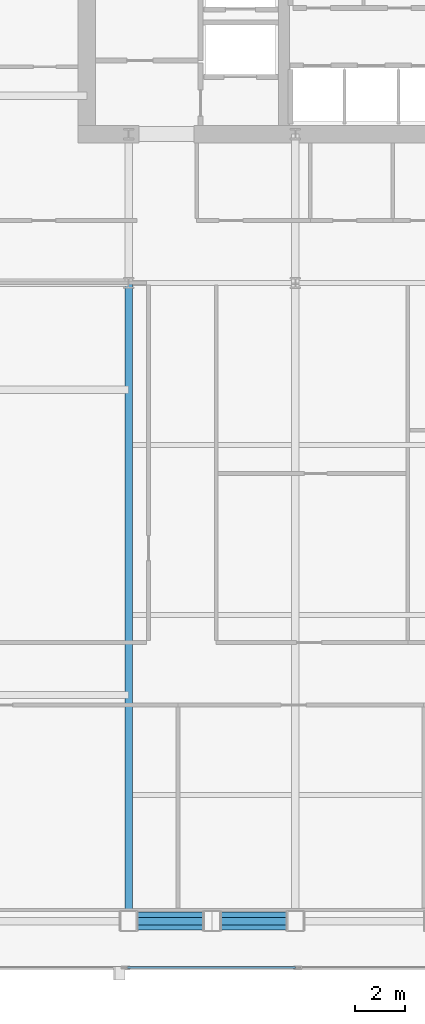
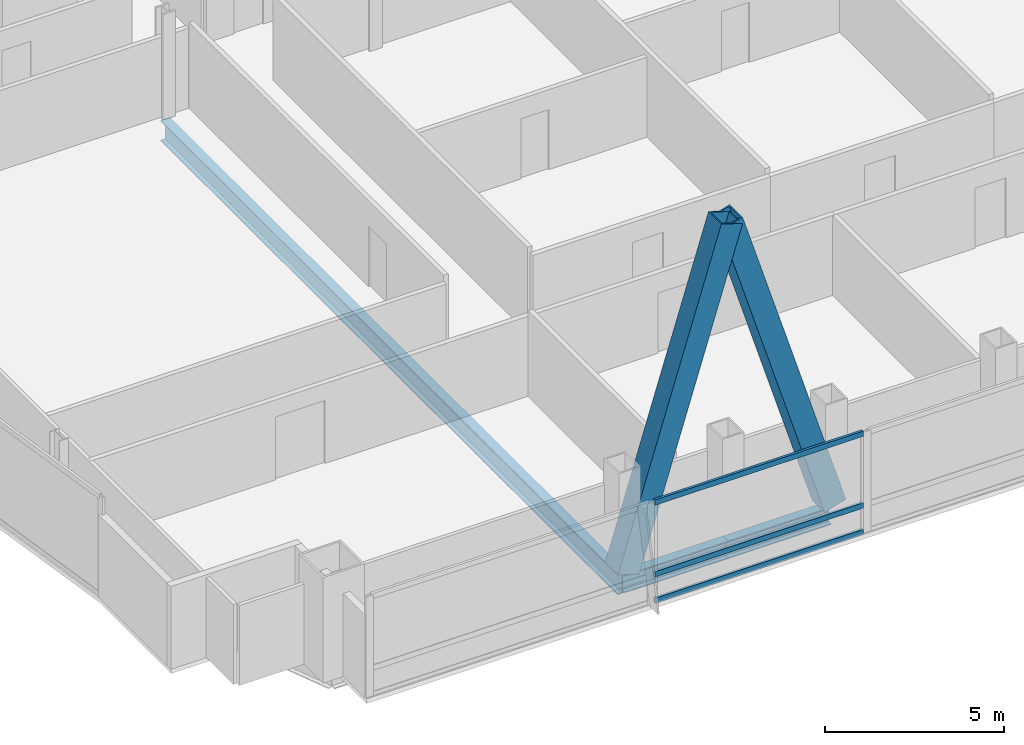
# One storey, part 7 of 30: 5 members, 3 beams, 1 element without a shape of its own.
"""IFC4 building model written with IfcOpenShell, lengths in metres."""

import ifcopenshell
import ifcopenshell.guid

model = None  # the IFC model being written
_history = None  # IfcOwnerHistory: only IFC2X3 demands one
_inside = {}  # id of a spatial element -> (the spatial element, [elements in it])
_under = {}  # id of a project, library or spatial element -> (it, [spatial elements below it])
_declared = {}  # id of a project -> (the project, [libraries it declares])
_typed = {}  # id of a type object -> (the type object, [elements of that type])
_made_of = {}  # id of a material, layer set ... -> (it, [elements and type objects made of it])


def new_model(schema):
    """Start an empty IFC model of exactly this schema.

    Asked for "IFC4X3", IfcOpenShell would pick the latest addendum, in which some entities
    have other attributes; the version numbers below select the first issue.
    IFC2X3 requires an IfcOwnerHistory on every rooted entity: one is made here for all.
    """
    global model, _history
    if schema == "IFC4X3":
        model = ifcopenshell.file(schema_version=(4, 3, 0, 0))
    else:
        model = ifcopenshell.file(schema=schema)
    _inside.clear()
    _under.clear()
    _declared.clear()
    _typed.clear()
    _made_of.clear()
    _history = None
    if model.schema == "IFC2X3":
        org = make("IfcOrganization", Name="unknown")
        user = make(
            "IfcPersonAndOrganization",
            ThePerson=make("IfcPerson", FamilyName="unknown"),
            TheOrganization=org,
        )
        app = make(
            "IfcApplication",
            ApplicationDeveloper=org,
            Version="unknown",
            ApplicationFullName="unknown",
            ApplicationIdentifier="unknown",
        )
        _history = make(
            "IfcOwnerHistory",
            OwningUser=user,
            OwningApplication=app,
            ChangeAction="ADDED",
            CreationDate=0,
        )
    return model


def make(cls, **values):
    """One entity of the class cls with the attributes given. An attribute that is None is left unset."""
    return model.create_entity(
        cls, **{name: value for name, value in values.items() if value is not None}
    )


def rooted(cls, **values):
    """An entity with a GlobalId (a new one), such as an element, a storey or a relation."""
    return make(cls, GlobalId=ifcopenshell.guid.new(), OwnerHistory=_history, **values)


def si_unit(unit_type, name, prefix=None):
    """IfcSIUnit, for example si_unit("LENGTHUNIT", "METRE", prefix="MILLI")."""
    return make("IfcSIUnit", UnitType=unit_type, Prefix=prefix, Name=name)


def assignment(units):
    """IfcUnitAssignment: the units of a project."""
    return None if units is None else make("IfcUnitAssignment", Units=units)


def point(xyz):
    """IfcCartesianPoint."""
    return None if xyz is None else make("IfcCartesianPoint", Coordinates=xyz)


def direction(xyz):
    """IfcDirection."""
    return None if xyz is None else make("IfcDirection", DirectionRatios=xyz)


def frame(location, z_axis=None, x_axis=None):
    """IfcAxis2Placement3D, a coordinate frame: its origin and axes. An axis left out is left unset."""
    return make(
        "IfcAxis2Placement3D",
        Location=point(location),
        Axis=direction(z_axis),
        RefDirection=direction(x_axis),
    )


def frame_2d(location, x_axis=None):
    """IfcAxis2Placement2D, a coordinate frame in the plane: its origin and x axis."""
    return make(
        "IfcAxis2Placement2D", Location=point(location), RefDirection=direction(x_axis)
    )


def origin():
    """The frame at (0, 0, 0) with its axes left unset."""
    return frame((0.0, 0.0, 0.0))


def origin_2d():
    """The frame at (0, 0) in the plane with its x axis left unset."""
    return frame_2d((0.0, 0.0))


def place(relative_to, where):
    """IfcLocalPlacement: puts the frame where relative to a parent placement (None: the world)."""
    return make(
        "IfcLocalPlacement", PlacementRelTo=relative_to, RelativePlacement=where
    )


def context(
    kind, dimensions, precision=None, world=None, true_north=None, identifier=None
):
    """IfcGeometricRepresentationContext, for example the 3D "Model" context."""
    return make(
        "IfcGeometricRepresentationContext",
        ContextIdentifier=identifier,
        ContextType=kind,
        CoordinateSpaceDimension=dimensions,
        Precision=precision,
        WorldCoordinateSystem=world,
        TrueNorth=true_north,
    )


def subcontext(parent, identifier, kind, view, scale=None):
    """IfcGeometricRepresentationSubContext, for example "Body" below "Model"."""
    return make(
        "IfcGeometricRepresentationSubContext",
        ContextIdentifier=identifier,
        ContextType=kind,
        ParentContext=parent,
        TargetScale=scale,
        TargetView=view,
    )


def project(units=None, contexts=None):
    """IfcProject with its units and contexts."""
    return rooted(
        "IfcProject",
        Name="project",
        RepresentationContexts=contexts,
        UnitsInContext=assignment(units),
    )


def spatial(cls, under=None, at=None, **own):
    """A site, building, storey or space (cls), placed at a placement, below another one or the project."""
    s = rooted(cls, ObjectPlacement=at, **own)
    if under is not None:
        _under.setdefault(under.id(), (under, []))[1].append(s)
    return s


def profile(cls, at=None, kind="AREA", **sizes):
    """A parametric profile (cls). Its sizes go by their IFC names, for example OverallWidth=200.0."""
    return make(cls, ProfileType=kind, Position=at, **sizes)


def hollow_rectangle(**sizes):
    """IfcRectangleHollowProfileDef."""
    return profile("IfcRectangleHollowProfileDef", **sizes)


def i_section(**sizes):
    """IfcIShapeProfileDef."""
    return profile("IfcIShapeProfileDef", **sizes)


def extrude(swept, where, along, depth):
    """IfcExtrudedAreaSolid: the profile swept, set in the frame where, extruded along a direction by depth."""
    return make(
        "IfcExtrudedAreaSolid",
        SweptArea=swept,
        Position=where,
        ExtrudedDirection=direction(along),
        Depth=depth,
    )


def shape(context_of_items, identifier, shape_type, items):
    """IfcShapeRepresentation: the items that make up one representation, for example the "Body"."""
    return make(
        "IfcShapeRepresentation",
        ContextOfItems=context_of_items,
        RepresentationIdentifier=identifier,
        RepresentationType=shape_type,
        Items=items,
    )


def material(Name=None, Category=None):
    """IfcMaterial."""
    return make("IfcMaterial", Name=Name, Category=Category)


def material_profile(
    of_material, cross_section, Name=None, Category=None, Priority=None
):
    """IfcMaterialProfile: a cross section and its material."""
    return make(
        "IfcMaterialProfile",
        Name=Name,
        Material=of_material,
        Profile=cross_section,
        Priority=Priority,
        Category=Category,
    )


def profile_set(profiles, Name=None, composite=None):
    """IfcMaterialProfileSet."""
    return make(
        "IfcMaterialProfileSet",
        Name=Name,
        MaterialProfiles=profiles,
        CompositeProfile=composite,
    )


def made_of(thing, what):
    """Note that an element or type object is made of a material, layer set ...; save() writes the relation."""
    if what is not None:
        _made_of.setdefault(what.id(), (what, []))[1].append(thing)
    return thing


def type_object(cls, material=None, **own):
    """A type object (cls), such as IfcWallType, which elements share."""
    return made_of(rooted(cls, **own), material)


def element(
    cls,
    number,
    at=None,
    inside=None,
    cuts=None,
    type_object=None,
    material=None,
    context=None,
    identifier="Body",
    shape_type=None,
    held_by="IfcProductDefinitionShape",
    body=None,
    shapes=None,
    **own,
):
    """One element of the class cls, such as IfcWall. Its Tag is "e" and its number.

    at: its placement. inside: the storey or other place that contains it. cuts: it is an
    opening in that element (IfcRelVoidsElement). A single representation is given by context,
    identifier, shape_type and body (its items); several are given by shapes. held_by: the class
    of the entity that holds the representations. save() writes the other relations.
    """
    e = rooted(cls, Tag="e%d" % number, ObjectPlacement=at, **own)
    if body is not None:
        shapes = [shape(context, identifier, shape_type, body)]
    if shapes is not None:
        e.Representation = make(held_by, Representations=shapes)
    if inside is not None:
        _inside.setdefault(inside.id(), (inside, []))[1].append(e)
    if cuts is not None:
        rooted(
            "IfcRelVoidsElement", RelatingBuildingElement=cuts, RelatedOpeningElement=e
        )
    if type_object is not None:
        _typed.setdefault(type_object.id(), (type_object, []))[1].append(e)
    return made_of(e, material)


def aggregate(whole, parts):
    """IfcRelAggregates: a whole, such as a stair, and the parts it consists of."""
    return rooted("IfcRelAggregates", RelatingObject=whole, RelatedObjects=parts)


def save(model, path):
    """Write the relations noted so far, then the file.

    IfcRelAggregates (storeys below a building ...), IfcRelContainedInSpatialStructure (elements
    in a storey), IfcRelDefinesByType, IfcRelAssociatesMaterial and IfcRelDeclares: one each for
    every whole, place, type object, material and project.
    """
    for whole, parts in _under.values():
        aggregate(whole, parts)
    for where, things in _inside.values():
        rooted(
            "IfcRelContainedInSpatialStructure",
            RelatedElements=things,
            RelatingStructure=where,
        )
    for kind, things in _typed.values():
        rooted("IfcRelDefinesByType", RelatedObjects=things, RelatingType=kind)
    for what, things in _made_of.values():
        rooted("IfcRelAssociatesMaterial", RelatedObjects=things, RelatingMaterial=what)
    for by, libraries in _declared.values():
        rooted("IfcRelDeclares", RelatingContext=by, RelatedDefinitions=libraries)
    model.write(path)


model = new_model("IFC4")

# Units and contexts
model_context = context("Model", 3, precision=1e-05, world=origin(), true_north=direction((0.0, 1.0)))
body_context = subcontext(model_context, "Body", "Model", "MODEL_VIEW")
ifc_project = project(units=[si_unit("LENGTHUNIT", "METRE"), si_unit("AREAUNIT", "SQUARE_METRE"), si_unit("VOLUMEUNIT", "CUBIC_METRE"), si_unit("PLANEANGLEUNIT", "RADIAN"), si_unit("MASSUNIT", "GRAM", prefix="KILO")], contexts=[model_context])

# Site, building, storey
site_placement = place(None, origin())
site = spatial("IfcSite", under=ifc_project, at=site_placement, CompositionType="ELEMENT")
building_placement = place(site_placement, origin())
building = spatial("IfcBuilding", under=site, at=building_placement, Name="Khoronbel Lancet Exchange", CompositionType="ELEMENT")
storey_placement = place(building_placement, frame((0.0, 0.0, 147.0)))
storey = spatial("IfcBuildingStorey", under=building, at=storey_placement, Name="L36", CompositionType="ELEMENT", Elevation=147.0)

# Beams
ifc_material_1 = material(Name="Steel S355", Category="steel")
ifc_material_profile_1 = material_profile(ifc_material_1, i_section(OverallWidth=0.300048828125, OverallDepth=0.699951171875, WebThickness=0.01708984375, FlangeThickness=0.031982421875, at=origin_2d()), Name="HEB 700")
ifc_profile_set_1 = profile_set([ifc_material_profile_1], Name="Steel S355")
beam_type_1 = type_object("IfcBeamType", Name="BM-BG3", PredefinedType="BEAM", material=ifc_profile_set_1)
beam_placement = place(storey_placement, frame((18.22509765625, 10.14990234375, -0.510009765625), z_axis=(0.0, 1.0, 0.0), x_axis=(-1.0, 0.0, 0.0)))
element("IfcBeam", 1, at=beam_placement, inside=storey, type_object=beam_type_1, Name="Level L36 south primary girder GS1", PredefinedType="BEAM", context=body_context, shape_type="SweptSolid", body=[
    extrude(i_section(OverallWidth=0.300048828125, OverallDepth=0.699951171875, WebThickness=0.01708984375, FlangeThickness=0.031982421875, at=origin_2d()), origin(), (0.0, 0.0, 1.0), 25.550048828125),
])
ifc_material_profile_2 = material_profile(ifc_material_1, i_section(OverallWidth=0.300048828125, OverallDepth=0.60009765625, WebThickness=0.015380859375, FlangeThickness=0.030029296875, at=origin_2d()), Name="HEB 600")
ifc_profile_set_2 = profile_set([ifc_material_profile_2], Name="Steel S355")
beam_type_2 = type_object("IfcBeamType", Name="BM-BSP2", PredefinedType="SPANDREL", material=ifc_profile_set_2)
for number, where, z_axis, x_axis, name in (
    (2, (18.22509765625, 10.14990234375, -0.4599609375), (1.0, 0.0, 0.0), (0.0, 1.0, 0.0), "Level L36 perimeter spandrel beam SP02"),
    (3, (21.5625, 10.14990234375, -0.4599609375), (1.0, 0.0, 0.0), (0.0, 1.0, 0.0), "Level L36 perimeter spandrel beam SP03"),
):
    element("IfcBeam", number, at=place(storey_placement, frame(where, z_axis=z_axis, x_axis=x_axis)), inside=storey, type_object=beam_type_2, Name=name, PredefinedType="SPANDREL", context=body_context, shape_type="SweptSolid", body=[
        extrude(i_section(OverallWidth=0.300048828125, OverallDepth=0.60009765625, WebThickness=0.015380859375, FlangeThickness=0.030029296875, at=origin_2d()), origin(), (0.0, 0.0, 1.0), 3.33740234375),
    ])

# Curtain wall, members
ifc_material_2 = material(Name="Low-E Solar Control Insulating Glass", Category="glass")
curtain_wall_type = type_object("IfcCurtainWallType", Name="CW-3", PredefinedType="NOTDEFINED", material=ifc_material_2)
curtain_wall_placement = place(storey_placement, origin())
curtain_wall = element("IfcCurtainWall", 4, at=curtain_wall_placement, inside=storey, type_object=curtain_wall_type, Name="Unitised curtain wall CW-L36-SWB", PredefinedType="NOTDEFINED")
ifc_material_3 = material(Name="Bronze-Anodised Aluminium 6063-T6", Category="aluminium")
ifc_material_profile_3 = material_profile(ifc_material_3, hollow_rectangle(XDim=0.0849609375, YDim=0.179931640625, WallThickness=0.0048828125, at=origin_2d()), Name="ALU TRANSOM 85x180")
ifc_profile_set_3 = profile_set([ifc_material_profile_3], Name="Bronze-Anodised Aluminium 6063-T6")
member_type_1 = type_object("IfcMemberType", Name="MEM-CWT1", PredefinedType="USERDEFINED", material=ifc_profile_set_3)
member_1_placement = place(storey_placement, frame((18.18505859375, 8.2900390625, 0.04248046875), z_axis=(1.0, 0.0, 0.0), x_axis=(0.0, 1.0, 0.0)))
member_1 = element("IfcMember", 5, at=member_1_placement, type_object=member_type_1, Name="CW3 transom 1.1", ObjectType="TRANSOM", PredefinedType="USERDEFINED", context=body_context, shape_type="SweptSolid", body=[
    extrude(hollow_rectangle(XDim=0.0849609375, YDim=0.179931640625, WallThickness=0.0048828125, at=origin_2d()), origin(), (0.0, 0.0, 1.0), 6.72998046875),
])
member_2_placement = place(storey_placement, frame((18.18505859375, 8.2900390625, 0.949951171875), z_axis=(1.0, 0.0, 0.0), x_axis=(0.0, 1.0, 0.0)))
member_2 = element("IfcMember", 6, at=member_2_placement, type_object=member_type_1, Name="CW3 transom 1.2", ObjectType="TRANSOM", PredefinedType="USERDEFINED", context=body_context, shape_type="SweptSolid", body=[
    extrude(hollow_rectangle(XDim=0.0849609375, YDim=0.179931640625, WallThickness=0.0048828125, at=origin_2d()), origin(), (0.0, 0.0, 1.0), 6.72998046875),
])
member_3_placement = place(storey_placement, frame((18.18505859375, 8.2900390625, 3.3974609375), z_axis=(1.0, 0.0, 0.0), x_axis=(0.0, 1.0, 0.0)))
member_3 = element("IfcMember", 7, at=member_3_placement, type_object=member_type_1, Name="CW3 transom 1.3", ObjectType="TRANSOM", PredefinedType="USERDEFINED", context=body_context, shape_type="SweptSolid", body=[
    extrude(hollow_rectangle(XDim=0.0849609375, YDim=0.179931640625, WallThickness=0.0048828125, at=origin_2d()), origin(), (0.0, 0.0, 1.0), 6.72998046875),
])
aggregate(curtain_wall, [member_1, member_2, member_3])

# Members
ifc_material_4 = material(Name="Steel S460", Category="steel")
ifc_material_profile_4 = material_profile(ifc_material_4, hollow_rectangle(XDim=0.719970703125, YDim=0.719970703125, WallThickness=0.050048828125, at=origin_2d()), Name="BOX 720x720x50")
ifc_profile_set_4 = profile_set([ifc_material_profile_4], Name="Steel S460")
member_type_2 = type_object("IfcMemberType", Name="MEM-MB2", PredefinedType="BRACE", material=ifc_profile_set_4)
for number, where, z_axis, x_axis, name in (
    (8, (18.22509765625, 10.14990234375, 0.0), (0.295242108906, 0.0, 0.955422470496), (0.0, 1.0, 0.0), "Perimeter lancet brace tier 12 S-W-L"),
    (9, (24.89990234375, 10.14990234375, 0.0), (-0.295242108906, 0.0, 0.955422470496), (0.0, -1.0, 0.0), "Perimeter lancet brace tier 12 S-W-R"),
):
    element("IfcMember", number, at=place(storey_placement, frame(where, z_axis=z_axis, x_axis=x_axis)), inside=storey, type_object=member_type_2, Name=name, PredefinedType="BRACE", context=body_context, shape_type="SweptSolid", body=[
        extrude(hollow_rectangle(XDim=0.719970703125, YDim=0.719970703125, WallThickness=0.050048828125, at=origin_2d()), origin(), (0.0, 0.0, 1.0), 11.303955078125),
    ])

save(model, "model.ifc")
